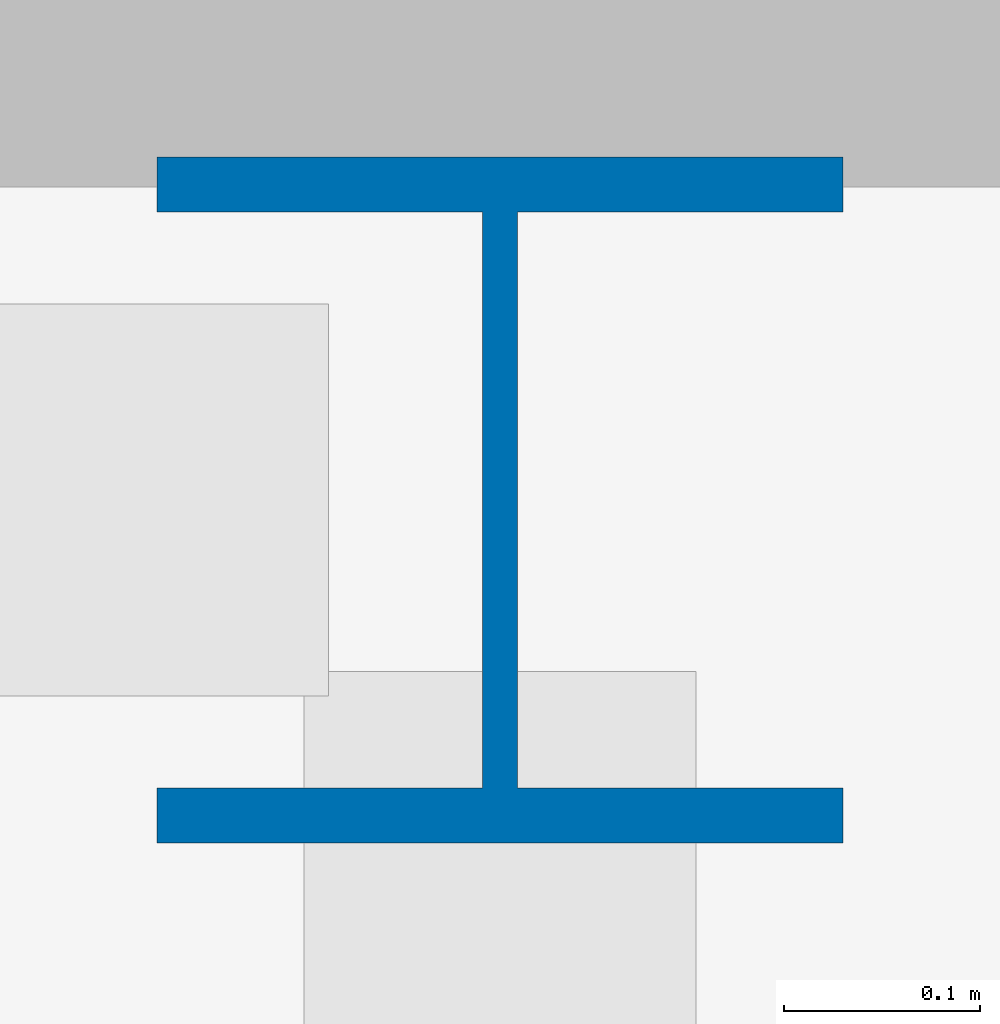
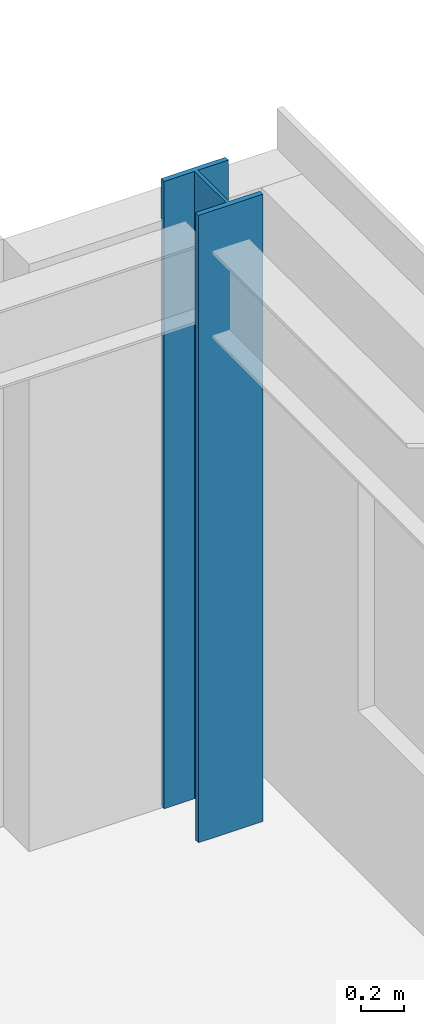
# One storey, part 4 of 22: 1 column.
"""IFC4 building model written with IfcOpenShell, lengths in metres."""

from ifc_helpers import new_model, si_unit, direction, frame, origin, origin_2d, place, context, subcontext, project, spatial, i_section, extrude, source, transform, mapped, material, material_profile, profile_set, type_object, element, save


model = new_model("IFC4")

# Units and contexts
model_context = context("Model", 3, precision=1e-05, world=origin(), true_north=direction((0.0, 1.0)))
body_context = subcontext(model_context, "Body", "Model", "MODEL_VIEW")
ifc_project = project(units=[si_unit("LENGTHUNIT", "METRE"), si_unit("AREAUNIT", "SQUARE_METRE"), si_unit("VOLUMEUNIT", "CUBIC_METRE"), si_unit("PLANEANGLEUNIT", "RADIAN"), si_unit("MASSUNIT", "GRAM", prefix="KILO")], contexts=[model_context])

# Site, building, storey
site_placement = place(None, origin())
site = spatial("IfcSite", under=ifc_project, at=site_placement, CompositionType="ELEMENT")
building_placement = place(site_placement, origin())
building = spatial("IfcBuilding", under=site, at=building_placement, Name="Trelvane Seafront Commons", CompositionType="ELEMENT")
storey_placement = place(building_placement, frame((0.0, 0.0, 281.10009765625)))
storey = spatial("IfcBuildingStorey", under=building, at=storey_placement, Name="L73", CompositionType="ELEMENT", Elevation=281.10009765625)

# Column
ifc_material = material(Name="Steel SM355 (S355)", Category="steel")
ifc_material_profile = material_profile(ifc_material, i_section(OverallWidth=0.35009765625, OverallDepth=0.35009765625, WebThickness=0.01806640625, FlangeThickness=0.028076171875, at=origin_2d()), Name="HD-350x350x18x28")
ifc_profile_set = profile_set([ifc_material_profile], Name="Steel SM355 (S355)")
column_type = type_object("IfcColumnType", Name="STR-COL-HD350", PredefinedType="COLUMN", material=ifc_profile_set)
shared_shape = source(origin(), body_context, "Body", "SweptSolid", [
    extrude(i_section(OverallWidth=0.35009765625, OverallDepth=0.35009765625, WebThickness=0.01806640625, FlangeThickness=0.028076171875, at=origin_2d()), origin(), (0.0, 0.0, 1.0), 3.599853515625),
])
column_placement = place(storey_placement, frame((65.60009765625, 45.10009765625, 0.0), z_axis=(0.0, 0.0, 1.0), x_axis=(1.0, 0.0, 0.0)))
element("IfcColumn", 1, at=column_placement, inside=storey, type_object=column_type, Name="L73 Column TC-CN65.6", PredefinedType="COLUMN", context=body_context, shape_type="MappedRepresentation", body=[
    mapped(shared_shape, transform((0.0, 0.0, 0.0), x_axis=(1.0, 0.0, 0.0), y_axis=(0.0, 1.0, 0.0), z_axis=(0.0, 0.0, 1.0), scale=1.0)),
])

save(model, "model.ifc")
